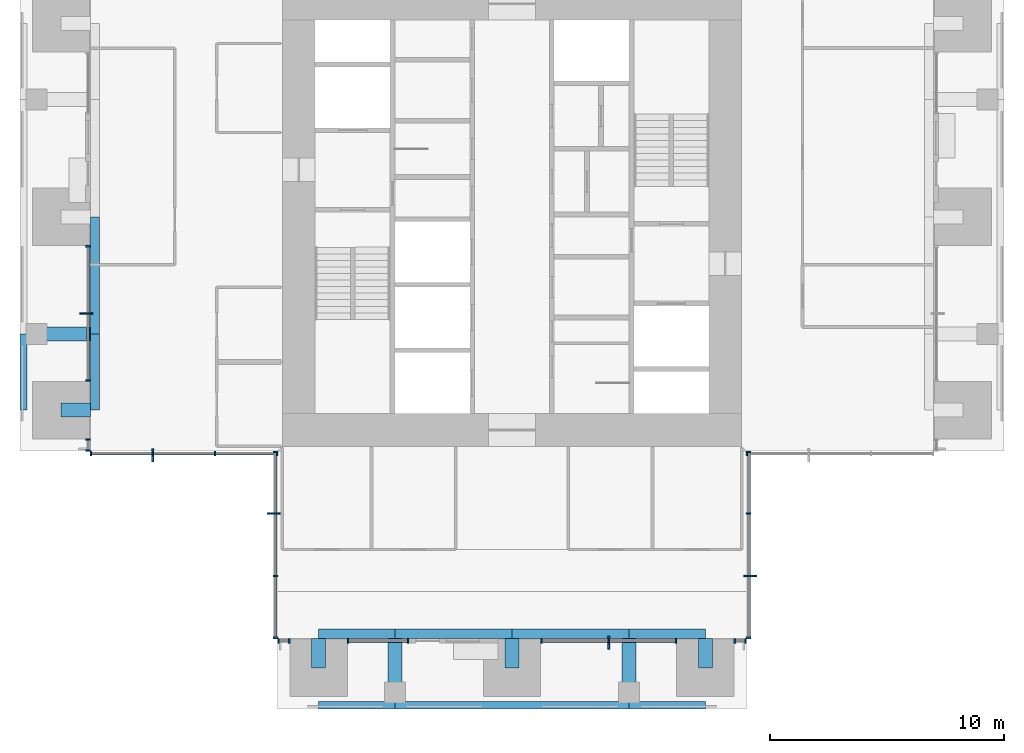
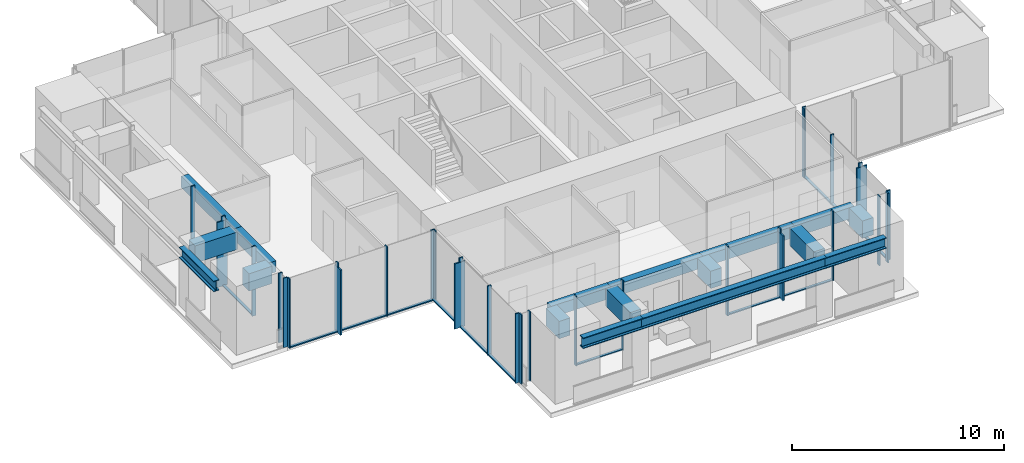
# One storey, part 2 of 17: 46 members, 17 beams, 10 elements without a shape of their own.
"""IFC4 building model written with IfcOpenShell, lengths in metres."""

import ifcopenshell
import ifcopenshell.guid

model = None  # the IFC model being written
_history = None  # IfcOwnerHistory: only IFC2X3 demands one
_inside = {}  # id of a spatial element -> (the spatial element, [elements in it])
_under = {}  # id of a project, library or spatial element -> (it, [spatial elements below it])
_declared = {}  # id of a project -> (the project, [libraries it declares])
_typed = {}  # id of a type object -> (the type object, [elements of that type])
_made_of = {}  # id of a material, layer set ... -> (it, [elements and type objects made of it])


def new_model(schema):
    """Start an empty IFC model of exactly this schema.

    Asked for "IFC4X3", IfcOpenShell would pick the latest addendum, in which some entities
    have other attributes; the version numbers below select the first issue.
    IFC2X3 requires an IfcOwnerHistory on every rooted entity: one is made here for all.
    """
    global model, _history
    if schema == "IFC4X3":
        model = ifcopenshell.file(schema_version=(4, 3, 0, 0))
    else:
        model = ifcopenshell.file(schema=schema)
    _inside.clear()
    _under.clear()
    _declared.clear()
    _typed.clear()
    _made_of.clear()
    _history = None
    if model.schema == "IFC2X3":
        org = make("IfcOrganization", Name="unknown")
        user = make(
            "IfcPersonAndOrganization",
            ThePerson=make("IfcPerson", FamilyName="unknown"),
            TheOrganization=org,
        )
        app = make(
            "IfcApplication",
            ApplicationDeveloper=org,
            Version="unknown",
            ApplicationFullName="unknown",
            ApplicationIdentifier="unknown",
        )
        _history = make(
            "IfcOwnerHistory",
            OwningUser=user,
            OwningApplication=app,
            ChangeAction="ADDED",
            CreationDate=0,
        )
    return model


def make(cls, **values):
    """One entity of the class cls with the attributes given. An attribute that is None is left unset."""
    return model.create_entity(
        cls, **{name: value for name, value in values.items() if value is not None}
    )


def rooted(cls, **values):
    """An entity with a GlobalId (a new one), such as an element, a storey or a relation."""
    return make(cls, GlobalId=ifcopenshell.guid.new(), OwnerHistory=_history, **values)


def si_unit(unit_type, name, prefix=None):
    """IfcSIUnit, for example si_unit("LENGTHUNIT", "METRE", prefix="MILLI")."""
    return make("IfcSIUnit", UnitType=unit_type, Prefix=prefix, Name=name)


def assignment(units):
    """IfcUnitAssignment: the units of a project."""
    return None if units is None else make("IfcUnitAssignment", Units=units)


def point(xyz):
    """IfcCartesianPoint."""
    return None if xyz is None else make("IfcCartesianPoint", Coordinates=xyz)


def direction(xyz):
    """IfcDirection."""
    return None if xyz is None else make("IfcDirection", DirectionRatios=xyz)


def frame(location, z_axis=None, x_axis=None):
    """IfcAxis2Placement3D, a coordinate frame: its origin and axes. An axis left out is left unset."""
    return make(
        "IfcAxis2Placement3D",
        Location=point(location),
        Axis=direction(z_axis),
        RefDirection=direction(x_axis),
    )


def frame_2d(location, x_axis=None):
    """IfcAxis2Placement2D, a coordinate frame in the plane: its origin and x axis."""
    return make(
        "IfcAxis2Placement2D", Location=point(location), RefDirection=direction(x_axis)
    )


def origin():
    """The frame at (0, 0, 0) with its axes left unset."""
    return frame((0.0, 0.0, 0.0))


def origin_2d():
    """The frame at (0, 0) in the plane with its x axis left unset."""
    return frame_2d((0.0, 0.0))


def place(relative_to, where):
    """IfcLocalPlacement: puts the frame where relative to a parent placement (None: the world)."""
    return make(
        "IfcLocalPlacement", PlacementRelTo=relative_to, RelativePlacement=where
    )


def context(
    kind, dimensions, precision=None, world=None, true_north=None, identifier=None
):
    """IfcGeometricRepresentationContext, for example the 3D "Model" context."""
    return make(
        "IfcGeometricRepresentationContext",
        ContextIdentifier=identifier,
        ContextType=kind,
        CoordinateSpaceDimension=dimensions,
        Precision=precision,
        WorldCoordinateSystem=world,
        TrueNorth=true_north,
    )


def subcontext(parent, identifier, kind, view, scale=None):
    """IfcGeometricRepresentationSubContext, for example "Body" below "Model"."""
    return make(
        "IfcGeometricRepresentationSubContext",
        ContextIdentifier=identifier,
        ContextType=kind,
        ParentContext=parent,
        TargetScale=scale,
        TargetView=view,
    )


def project(units=None, contexts=None):
    """IfcProject with its units and contexts."""
    return rooted(
        "IfcProject",
        Name="project",
        RepresentationContexts=contexts,
        UnitsInContext=assignment(units),
    )


def spatial(cls, under=None, at=None, **own):
    """A site, building, storey or space (cls), placed at a placement, below another one or the project."""
    s = rooted(cls, ObjectPlacement=at, **own)
    if under is not None:
        _under.setdefault(under.id(), (under, []))[1].append(s)
    return s


def profile(cls, at=None, kind="AREA", **sizes):
    """A parametric profile (cls). Its sizes go by their IFC names, for example OverallWidth=200.0."""
    return make(cls, ProfileType=kind, Position=at, **sizes)


def rectangle(**sizes):
    """IfcRectangleProfileDef."""
    return profile("IfcRectangleProfileDef", **sizes)


def i_section(**sizes):
    """IfcIShapeProfileDef."""
    return profile("IfcIShapeProfileDef", **sizes)


def extrude(swept, where, along, depth):
    """IfcExtrudedAreaSolid: the profile swept, set in the frame where, extruded along a direction by depth."""
    return make(
        "IfcExtrudedAreaSolid",
        SweptArea=swept,
        Position=where,
        ExtrudedDirection=direction(along),
        Depth=depth,
    )


def shape(context_of_items, identifier, shape_type, items):
    """IfcShapeRepresentation: the items that make up one representation, for example the "Body"."""
    return make(
        "IfcShapeRepresentation",
        ContextOfItems=context_of_items,
        RepresentationIdentifier=identifier,
        RepresentationType=shape_type,
        Items=items,
    )


def material(Name=None, Category=None):
    """IfcMaterial."""
    return make("IfcMaterial", Name=Name, Category=Category)


def material_profile(
    of_material, cross_section, Name=None, Category=None, Priority=None
):
    """IfcMaterialProfile: a cross section and its material."""
    return make(
        "IfcMaterialProfile",
        Name=Name,
        Material=of_material,
        Profile=cross_section,
        Priority=Priority,
        Category=Category,
    )


def profile_set(profiles, Name=None, composite=None):
    """IfcMaterialProfileSet."""
    return make(
        "IfcMaterialProfileSet",
        Name=Name,
        MaterialProfiles=profiles,
        CompositeProfile=composite,
    )


def made_of(thing, what):
    """Note that an element or type object is made of a material, layer set ...; save() writes the relation."""
    if what is not None:
        _made_of.setdefault(what.id(), (what, []))[1].append(thing)
    return thing


def type_object(cls, material=None, **own):
    """A type object (cls), such as IfcWallType, which elements share."""
    return made_of(rooted(cls, **own), material)


def element(
    cls,
    number,
    at=None,
    inside=None,
    cuts=None,
    type_object=None,
    material=None,
    context=None,
    identifier="Body",
    shape_type=None,
    held_by="IfcProductDefinitionShape",
    body=None,
    shapes=None,
    **own,
):
    """One element of the class cls, such as IfcWall. Its Tag is "e" and its number.

    at: its placement. inside: the storey or other place that contains it. cuts: it is an
    opening in that element (IfcRelVoidsElement). A single representation is given by context,
    identifier, shape_type and body (its items); several are given by shapes. held_by: the class
    of the entity that holds the representations. save() writes the other relations.
    """
    e = rooted(cls, Tag="e%d" % number, ObjectPlacement=at, **own)
    if body is not None:
        shapes = [shape(context, identifier, shape_type, body)]
    if shapes is not None:
        e.Representation = make(held_by, Representations=shapes)
    if inside is not None:
        _inside.setdefault(inside.id(), (inside, []))[1].append(e)
    if cuts is not None:
        rooted(
            "IfcRelVoidsElement", RelatingBuildingElement=cuts, RelatedOpeningElement=e
        )
    if type_object is not None:
        _typed.setdefault(type_object.id(), (type_object, []))[1].append(e)
    return made_of(e, material)


def aggregate(whole, parts):
    """IfcRelAggregates: a whole, such as a stair, and the parts it consists of."""
    return rooted("IfcRelAggregates", RelatingObject=whole, RelatedObjects=parts)


def save(model, path):
    """Write the relations noted so far, then the file.

    IfcRelAggregates (storeys below a building ...), IfcRelContainedInSpatialStructure (elements
    in a storey), IfcRelDefinesByType, IfcRelAssociatesMaterial and IfcRelDeclares: one each for
    every whole, place, type object, material and project.
    """
    for whole, parts in _under.values():
        aggregate(whole, parts)
    for where, things in _inside.values():
        rooted(
            "IfcRelContainedInSpatialStructure",
            RelatedElements=things,
            RelatingStructure=where,
        )
    for kind, things in _typed.values():
        rooted("IfcRelDefinesByType", RelatedObjects=things, RelatingType=kind)
    for what, things in _made_of.values():
        rooted("IfcRelAssociatesMaterial", RelatedObjects=things, RelatingMaterial=what)
    for by, libraries in _declared.values():
        rooted("IfcRelDeclares", RelatingContext=by, RelatedDefinitions=libraries)
    model.write(path)


model = new_model("IFC4")

# Units and contexts
model_context = context("Model", 3, precision=1e-05, world=origin(), true_north=direction((0.0, 1.0)))
body_context = subcontext(model_context, "Body", "Model", "MODEL_VIEW")
ifc_project = project(units=[si_unit("LENGTHUNIT", "METRE"), si_unit("AREAUNIT", "SQUARE_METRE"), si_unit("VOLUMEUNIT", "CUBIC_METRE"), si_unit("PLANEANGLEUNIT", "RADIAN"), si_unit("MASSUNIT", "GRAM", prefix="KILO")], contexts=[model_context])

# Site, building, storey
site_placement = place(None, origin())
site = spatial("IfcSite", under=ifc_project, at=site_placement, CompositionType="ELEMENT")
building_placement = place(site_placement, origin())
building = spatial("IfcBuilding", under=site, at=building_placement, Name="Svetlomir Tower", CompositionType="ELEMENT")
storey_placement = place(building_placement, frame((0.0, 0.0, 206.5)))
storey = spatial("IfcBuildingStorey", under=building, at=storey_placement, Name="L49", CompositionType="ELEMENT", Elevation=206.5)

# Curtain wall, member
ifc_material_1 = material(Name="Bronze anodised aluminium curtain wall", Category="aluminium")
curtain_wall_type = type_object("IfcCurtainWallType", Name="CURTAIN WALL CW1 TOWER OFFICE", PredefinedType="NOTDEFINED", material=ifc_material_1)
curtain_wall_1_placement = place(storey_placement, origin())
curtain_wall_1 = element("IfcCurtainWall", 1, at=curtain_wall_1_placement, inside=storey, type_object=curtain_wall_type, Name="Curtain wall CW1 L49", PredefinedType="NOTDEFINED")
ifc_material_2 = material(Name="Bronze anodised aluminium", Category="aluminium")
ifc_material_profile_1 = material_profile(ifc_material_2, rectangle(XDim=0.080078125, YDim=0.550048828125, at=origin_2d()), Name="FIN 80x550")
ifc_profile_set_1 = profile_set([ifc_material_profile_1], Name="Bronze anodised aluminium 6063-T6")
member_type_1 = type_object("IfcMemberType", Name="BRONZE FIN 80x550", PredefinedType="USERDEFINED", material=ifc_profile_set_1)
member_1_placement = place(storey_placement, frame((25.125, 2.824951171875, 0.0), z_axis=(0.0, 0.0, 1.0), x_axis=(1.0, 0.0, 0.0)))
member_1 = element("IfcMember", 2, at=member_1_placement, type_object=member_type_1, Name="Bronze fin L49", ObjectType="FIN", PredefinedType="USERDEFINED", context=body_context, shape_type="SweptSolid", body=[
    extrude(rectangle(XDim=0.080078125, YDim=0.550048828125, at=origin_2d()), origin(), (0.0, 0.0, 1.0), 3.75),
])

curtain_wall_2_placement = place(storey_placement, origin())
curtain_wall_2 = element("IfcCurtainWall", 3, at=curtain_wall_2_placement, inside=storey, type_object=curtain_wall_type, Name="Curtain wall CW1 L49", PredefinedType="NOTDEFINED")
member_2_placement = place(storey_placement, frame((31.175048828125, 5.666748046875, 0.0), z_axis=(0.0, 0.0, 1.0), x_axis=(0.0, 1.0, 0.0)))
member_2 = element("IfcMember", 4, at=member_2_placement, type_object=member_type_1, Name="Bronze fin L49", ObjectType="FIN", PredefinedType="USERDEFINED", context=body_context, shape_type="SweptSolid", body=[
    extrude(rectangle(XDim=0.080078125, YDim=0.550048828125, at=origin_2d()), origin(), (0.0, 0.0, 1.0), 3.75),
])

curtain_wall_3_placement = place(storey_placement, origin())
curtain_wall_3 = element("IfcCurtainWall", 5, at=curtain_wall_3_placement, inside=storey, type_object=curtain_wall_type, Name="Curtain wall CW1 L49", PredefinedType="NOTDEFINED")
member_3_placement = place(storey_placement, frame((2.824951171875, 16.875, 0.0), z_axis=(0.0, 0.0, 1.0), x_axis=(0.0, 1.0, 0.0)))
member_3 = element("IfcMember", 6, at=member_3_placement, type_object=member_type_1, Name="Bronze fin L49", ObjectType="FIN", PredefinedType="USERDEFINED", context=body_context, shape_type="SweptSolid", body=[
    extrude(rectangle(XDim=0.080078125, YDim=0.550048828125, at=origin_2d()), origin(), (0.0, 0.0, 1.0), 3.75),
])

curtain_wall_4_placement = place(storey_placement, origin())
curtain_wall_4 = element("IfcCurtainWall", 7, at=curtain_wall_4_placement, inside=storey, type_object=curtain_wall_type, Name="Curtain wall CW1 L49", PredefinedType="NOTDEFINED")
member_4_placement = place(storey_placement, frame((5.666748046875, 10.824951171875, 0.0), z_axis=(0.0, 0.0, 1.0), x_axis=(1.0, 0.0, 0.0)))
member_4 = element("IfcMember", 8, at=member_4_placement, type_object=member_type_1, Name="Bronze fin L49", ObjectType="FIN", PredefinedType="USERDEFINED", context=body_context, shape_type="SweptSolid", body=[
    extrude(rectangle(XDim=0.080078125, YDim=0.550048828125, at=origin_2d()), origin(), (0.0, 0.0, 1.0), 3.75),
])

curtain_wall_5_placement = place(storey_placement, origin())
curtain_wall_5 = element("IfcCurtainWall", 9, at=curtain_wall_5_placement, inside=storey, type_object=curtain_wall_type, Name="Curtain wall CW1 L49", PredefinedType="NOTDEFINED")
member_5_placement = place(storey_placement, frame((10.824951171875, 8.333251953125, 0.0), z_axis=(0.0, 0.0, 1.0), x_axis=(0.0, 1.0, 0.0)))
member_5 = element("IfcMember", 10, at=member_5_placement, type_object=member_type_1, Name="Bronze fin L49", ObjectType="FIN", PredefinedType="USERDEFINED", context=body_context, shape_type="SweptSolid", body=[
    extrude(rectangle(XDim=0.080078125, YDim=0.550048828125, at=origin_2d()), origin(), (0.0, 0.0, 1.0), 3.75),
])

# Curtain wall, members
curtain_wall_6_placement = place(storey_placement, origin())
curtain_wall_6 = element("IfcCurtainWall", 11, at=curtain_wall_6_placement, inside=storey, type_object=curtain_wall_type, Name="Curtain wall CW1 L49", PredefinedType="NOTDEFINED")
ifc_material_3 = material(Name="Bronze anodised aluminium", Category="aluminium")
ifc_material_profile_2 = material_profile(ifc_material_3, rectangle(XDim=0.06494140625, YDim=0.199951171875, at=origin_2d()), Name="AL 65x200")
ifc_profile_set_2 = profile_set([ifc_material_profile_2], Name="Bronze anodised aluminium 6063-T6")
member_type_2 = type_object("IfcMemberType", Name="CW1 MULLION 65x200", PredefinedType="MULLION", material=ifc_profile_set_2)
member_6_placement = place(storey_placement, frame((11.032470703125, 2.89990234375, 0.0), z_axis=(0.0, 0.0, 1.0), x_axis=(1.0, 0.0, 0.0)))
member_6 = element("IfcMember", 12, at=member_6_placement, type_object=member_type_2, Name="CW1 mullion 1", PredefinedType="MULLION", context=body_context, shape_type="SweptSolid", body=[
    extrude(rectangle(XDim=0.06494140625, YDim=0.199951171875, at=origin_2d()), origin(), (0.0, 0.0, 1.0), 4.0),
])
member_7_placement = place(storey_placement, frame((11.492431640625, 2.89990234375, 0.0), z_axis=(0.0, 0.0, 1.0), x_axis=(1.0, 0.0, 0.0)))
member_7 = element("IfcMember", 13, at=member_7_placement, type_object=member_type_2, Name="CW1 mullion 2", PredefinedType="MULLION", context=body_context, shape_type="SweptSolid", body=[
    extrude(rectangle(XDim=0.06494140625, YDim=0.199951171875, at=origin_2d()), origin(), (0.0, 0.0, 1.0), 4.0),
])
aggregate(curtain_wall_6, [member_6, member_7])

curtain_wall_7_placement = place(storey_placement, origin())
curtain_wall_7 = element("IfcCurtainWall", 14, at=curtain_wall_7_placement, inside=storey, type_object=curtain_wall_type, Name="Curtain wall CW1 L49", PredefinedType="NOTDEFINED")
member_8_placement = place(storey_placement, frame((14.007568359375, 2.89990234375, 0.0), z_axis=(0.0, 0.0, 1.0), x_axis=(1.0, 0.0, 0.0)))
member_8 = element("IfcMember", 15, at=member_8_placement, type_object=member_type_2, Name="CW1 mullion 1", PredefinedType="MULLION", context=body_context, shape_type="SweptSolid", body=[
    extrude(rectangle(XDim=0.06494140625, YDim=0.199951171875, at=origin_2d()), origin(), (0.0, 0.0, 1.0), 4.0),
])
member_9_placement = place(storey_placement, frame((16.5673828125, 2.89990234375, 0.0), z_axis=(0.0, 0.0, 1.0), x_axis=(1.0, 0.0, 0.0)))
member_9 = element("IfcMember", 16, at=member_9_placement, type_object=member_type_2, Name="CW1 mullion 2", PredefinedType="MULLION", context=body_context, shape_type="SweptSolid", body=[
    extrude(rectangle(XDim=0.06494140625, YDim=0.199951171875, at=origin_2d()), origin(), (0.0, 0.0, 1.0), 4.0),
])

# Member
member_10_placement = place(storey_placement, frame((22.257568359375, 2.89990234375, 0.0), z_axis=(0.0, 0.0, 1.0), x_axis=(1.0, 0.0, 0.0)))
member_10 = element("IfcMember", 17, at=member_10_placement, type_object=member_type_2, Name="CW1 mullion 1", PredefinedType="MULLION", context=body_context, shape_type="SweptSolid", body=[
    extrude(rectangle(XDim=0.06494140625, YDim=0.199951171875, at=origin_2d()), origin(), (0.0, 0.0, 1.0), 4.0),
])

member_11_placement = place(storey_placement, frame((25.125, 2.89990234375, 0.0), z_axis=(0.0, 0.0, 1.0), x_axis=(1.0, 0.0, 0.0)))
member_11 = element("IfcMember", 18, at=member_11_placement, type_object=member_type_2, Name="CW1 mullion 2", PredefinedType="MULLION", context=body_context, shape_type="SweptSolid", body=[
    extrude(rectangle(XDim=0.06494140625, YDim=0.199951171875, at=origin_2d()), origin(), (0.0, 0.0, 1.0), 4.0),
])

member_12_placement = place(storey_placement, frame((27.992431640625, 2.89990234375, 0.0), z_axis=(0.0, 0.0, 1.0), x_axis=(1.0, 0.0, 0.0)))
member_12 = element("IfcMember", 19, at=member_12_placement, type_object=member_type_2, Name="CW1 mullion 3", PredefinedType="MULLION", context=body_context, shape_type="SweptSolid", body=[
    extrude(rectangle(XDim=0.06494140625, YDim=0.199951171875, at=origin_2d()), origin(), (0.0, 0.0, 1.0), 4.0),
])

# Curtain wall, members
curtain_wall_8_placement = place(storey_placement, origin())
curtain_wall_8 = element("IfcCurtainWall", 20, at=curtain_wall_8_placement, inside=storey, type_object=curtain_wall_type, Name="Curtain wall CW1 L49", PredefinedType="NOTDEFINED")
member_13_placement = place(storey_placement, frame((30.507568359375, 2.89990234375, 0.0), z_axis=(0.0, 0.0, 1.0), x_axis=(1.0, 0.0, 0.0)))
member_13 = element("IfcMember", 21, at=member_13_placement, type_object=member_type_2, Name="CW1 mullion 1", PredefinedType="MULLION", context=body_context, shape_type="SweptSolid", body=[
    extrude(rectangle(XDim=0.06494140625, YDim=0.199951171875, at=origin_2d()), origin(), (0.0, 0.0, 1.0), 4.0),
])
member_14_placement = place(storey_placement, frame((30.967529296875, 2.89990234375, 0.0), z_axis=(0.0, 0.0, 1.0), x_axis=(1.0, 0.0, 0.0)))
member_14 = element("IfcMember", 22, at=member_14_placement, type_object=member_type_2, Name="CW1 mullion 2", PredefinedType="MULLION", context=body_context, shape_type="SweptSolid", body=[
    extrude(rectangle(XDim=0.06494140625, YDim=0.199951171875, at=origin_2d()), origin(), (0.0, 0.0, 1.0), 4.0),
])
aggregate(curtain_wall_8, [member_13, member_14])

# Member
member_15_placement = place(storey_placement, frame((31.10009765625, 3.032470703125, 0.0), z_axis=(0.0, 0.0, 1.0), x_axis=(0.0, 1.0, 0.0)))
member_15 = element("IfcMember", 23, at=member_15_placement, type_object=member_type_2, Name="CW1 mullion 1", PredefinedType="MULLION", context=body_context, shape_type="SweptSolid", body=[
    extrude(rectangle(XDim=0.06494140625, YDim=0.199951171875, at=origin_2d()), origin(), (0.0, 0.0, 1.0), 4.0),
])

member_16_placement = place(storey_placement, frame((31.10009765625, 5.666748046875, 0.0), z_axis=(0.0, 0.0, 1.0), x_axis=(0.0, 1.0, 0.0)))
member_16 = element("IfcMember", 24, at=member_16_placement, type_object=member_type_2, Name="CW1 mullion 2", PredefinedType="MULLION", context=body_context, shape_type="SweptSolid", body=[
    extrude(rectangle(XDim=0.06494140625, YDim=0.199951171875, at=origin_2d()), origin(), (0.0, 0.0, 1.0), 4.0),
])

member_17_placement = place(storey_placement, frame((31.10009765625, 8.333251953125, 0.0), z_axis=(0.0, 0.0, 1.0), x_axis=(0.0, 1.0, 0.0)))
member_17 = element("IfcMember", 25, at=member_17_placement, type_object=member_type_2, Name="CW1 mullion 3", PredefinedType="MULLION", context=body_context, shape_type="SweptSolid", body=[
    extrude(rectangle(XDim=0.06494140625, YDim=0.199951171875, at=origin_2d()), origin(), (0.0, 0.0, 1.0), 4.0),
])

member_18_placement = place(storey_placement, frame((31.10009765625, 10.967529296875, 0.0), z_axis=(0.0, 0.0, 1.0), x_axis=(0.0, 1.0, 0.0)))
member_18 = element("IfcMember", 26, at=member_18_placement, type_object=member_type_2, Name="CW1 mullion 4", PredefinedType="MULLION", context=body_context, shape_type="SweptSolid", body=[
    extrude(rectangle(XDim=0.06494140625, YDim=0.199951171875, at=origin_2d()), origin(), (0.0, 0.0, 1.0), 4.0),
])

# Curtain wall, member
curtain_wall_9_placement = place(storey_placement, origin())
curtain_wall_9 = element("IfcCurtainWall", 27, at=curtain_wall_9_placement, inside=storey, type_object=curtain_wall_type, Name="Curtain wall CW1 L49", PredefinedType="NOTDEFINED")
member_19_placement = place(storey_placement, frame((31.032470703125, 10.89990234375, 0.0), z_axis=(0.0, 0.0, 1.0), x_axis=(1.0, 0.0, 0.0)))
member_19 = element("IfcMember", 28, at=member_19_placement, type_object=member_type_2, Name="CW1 mullion 1", PredefinedType="MULLION", context=body_context, shape_type="SweptSolid", body=[
    extrude(rectangle(XDim=0.06494140625, YDim=0.199951171875, at=origin_2d()), origin(), (0.0, 0.0, 1.0), 4.0),
])
aggregate(curtain_wall_9, [member_19])

# Member
member_20_placement = place(storey_placement, frame((2.89990234375, 19.742431640625, 0.0), z_axis=(0.0, 0.0, 1.0), x_axis=(0.0, -1.0, 0.0)))
member_20 = element("IfcMember", 29, at=member_20_placement, type_object=member_type_2, Name="CW1 mullion 1", PredefinedType="MULLION", context=body_context, shape_type="SweptSolid", body=[
    extrude(rectangle(XDim=0.06494140625, YDim=0.199951171875, at=origin_2d()), origin(), (0.0, 0.0, 1.0), 4.0),
])

member_21_placement = place(storey_placement, frame((2.89990234375, 16.875, 0.0), z_axis=(0.0, 0.0, 1.0), x_axis=(0.0, -1.0, 0.0)))
member_21 = element("IfcMember", 30, at=member_21_placement, type_object=member_type_2, Name="CW1 mullion 2", PredefinedType="MULLION", context=body_context, shape_type="SweptSolid", body=[
    extrude(rectangle(XDim=0.06494140625, YDim=0.199951171875, at=origin_2d()), origin(), (0.0, 0.0, 1.0), 4.0),
])

member_22_placement = place(storey_placement, frame((2.89990234375, 14.007568359375, 0.0), z_axis=(0.0, 0.0, 1.0), x_axis=(0.0, -1.0, 0.0)))
member_22 = element("IfcMember", 31, at=member_22_placement, type_object=member_type_2, Name="CW1 mullion 3", PredefinedType="MULLION", context=body_context, shape_type="SweptSolid", body=[
    extrude(rectangle(XDim=0.06494140625, YDim=0.199951171875, at=origin_2d()), origin(), (0.0, 0.0, 1.0), 4.0),
])

# Curtain wall, members
curtain_wall_10_placement = place(storey_placement, origin())
curtain_wall_10 = element("IfcCurtainWall", 32, at=curtain_wall_10_placement, inside=storey, type_object=curtain_wall_type, Name="Curtain wall CW1 L49", PredefinedType="NOTDEFINED")
member_23_placement = place(storey_placement, frame((2.89990234375, 11.492431640625, 0.0), z_axis=(0.0, 0.0, 1.0), x_axis=(0.0, -1.0, 0.0)))
member_23 = element("IfcMember", 33, at=member_23_placement, type_object=member_type_2, Name="CW1 mullion 1", PredefinedType="MULLION", context=body_context, shape_type="SweptSolid", body=[
    extrude(rectangle(XDim=0.06494140625, YDim=0.199951171875, at=origin_2d()), origin(), (0.0, 0.0, 1.0), 4.0),
])
member_24_placement = place(storey_placement, frame((2.89990234375, 11.032470703125, 0.0), z_axis=(0.0, 0.0, 1.0), x_axis=(0.0, -1.0, 0.0)))
member_24 = element("IfcMember", 34, at=member_24_placement, type_object=member_type_2, Name="CW1 mullion 2", PredefinedType="MULLION", context=body_context, shape_type="SweptSolid", body=[
    extrude(rectangle(XDim=0.06494140625, YDim=0.199951171875, at=origin_2d()), origin(), (0.0, 0.0, 1.0), 4.0),
])
aggregate(curtain_wall_10, [member_23, member_24])

# Member
member_25_placement = place(storey_placement, frame((3.032470703125, 10.89990234375, 0.0), z_axis=(0.0, 0.0, 1.0), x_axis=(1.0, 0.0, 0.0)))
member_25 = element("IfcMember", 35, at=member_25_placement, type_object=member_type_2, Name="CW1 mullion 1", PredefinedType="MULLION", context=body_context, shape_type="SweptSolid", body=[
    extrude(rectangle(XDim=0.06494140625, YDim=0.199951171875, at=origin_2d()), origin(), (0.0, 0.0, 1.0), 4.0),
])

member_26_placement = place(storey_placement, frame((5.666748046875, 10.89990234375, 0.0), z_axis=(0.0, 0.0, 1.0), x_axis=(1.0, 0.0, 0.0)))
member_26 = element("IfcMember", 36, at=member_26_placement, type_object=member_type_2, Name="CW1 mullion 2", PredefinedType="MULLION", context=body_context, shape_type="SweptSolid", body=[
    extrude(rectangle(XDim=0.06494140625, YDim=0.199951171875, at=origin_2d()), origin(), (0.0, 0.0, 1.0), 4.0),
])

member_27_placement = place(storey_placement, frame((8.333251953125, 10.89990234375, 0.0), z_axis=(0.0, 0.0, 1.0), x_axis=(1.0, 0.0, 0.0)))
member_27 = element("IfcMember", 37, at=member_27_placement, type_object=member_type_2, Name="CW1 mullion 3", PredefinedType="MULLION", context=body_context, shape_type="SweptSolid", body=[
    extrude(rectangle(XDim=0.06494140625, YDim=0.199951171875, at=origin_2d()), origin(), (0.0, 0.0, 1.0), 4.0),
])

member_28_placement = place(storey_placement, frame((10.967529296875, 10.89990234375, 0.0), z_axis=(0.0, 0.0, 1.0), x_axis=(1.0, 0.0, 0.0)))
member_28 = element("IfcMember", 38, at=member_28_placement, type_object=member_type_2, Name="CW1 mullion 4", PredefinedType="MULLION", context=body_context, shape_type="SweptSolid", body=[
    extrude(rectangle(XDim=0.06494140625, YDim=0.199951171875, at=origin_2d()), origin(), (0.0, 0.0, 1.0), 4.0),
])

member_29_placement = place(storey_placement, frame((10.89990234375, 10.967529296875, 0.0), z_axis=(0.0, 0.0, 1.0), x_axis=(0.0, -1.0, 0.0)))
member_29 = element("IfcMember", 39, at=member_29_placement, type_object=member_type_2, Name="CW1 mullion 1", PredefinedType="MULLION", context=body_context, shape_type="SweptSolid", body=[
    extrude(rectangle(XDim=0.06494140625, YDim=0.199951171875, at=origin_2d()), origin(), (0.0, 0.0, 1.0), 4.0),
])

member_30_placement = place(storey_placement, frame((10.89990234375, 8.333251953125, 0.0), z_axis=(0.0, 0.0, 1.0), x_axis=(0.0, -1.0, 0.0)))
member_30 = element("IfcMember", 40, at=member_30_placement, type_object=member_type_2, Name="CW1 mullion 2", PredefinedType="MULLION", context=body_context, shape_type="SweptSolid", body=[
    extrude(rectangle(XDim=0.06494140625, YDim=0.199951171875, at=origin_2d()), origin(), (0.0, 0.0, 1.0), 4.0),
])

member_31_placement = place(storey_placement, frame((10.89990234375, 5.666748046875, 0.0), z_axis=(0.0, 0.0, 1.0), x_axis=(0.0, -1.0, 0.0)))
member_31 = element("IfcMember", 41, at=member_31_placement, type_object=member_type_2, Name="CW1 mullion 3", PredefinedType="MULLION", context=body_context, shape_type="SweptSolid", body=[
    extrude(rectangle(XDim=0.06494140625, YDim=0.199951171875, at=origin_2d()), origin(), (0.0, 0.0, 1.0), 4.0),
])

member_32_placement = place(storey_placement, frame((10.89990234375, 3.032470703125, 0.0), z_axis=(0.0, 0.0, 1.0), x_axis=(0.0, -1.0, 0.0)))
member_32 = element("IfcMember", 42, at=member_32_placement, type_object=member_type_2, Name="CW1 mullion 4", PredefinedType="MULLION", context=body_context, shape_type="SweptSolid", body=[
    extrude(rectangle(XDim=0.06494140625, YDim=0.199951171875, at=origin_2d()), origin(), (0.0, 0.0, 1.0), 4.0),
])

ifc_material_4 = material(Name="Bronze anodised aluminium", Category="aluminium")
ifc_material_profile_3 = material_profile(ifc_material_4, rectangle(XDim=0.139892578125, YDim=0.06494140625, at=origin_2d()), Name="AL 140x65")
ifc_profile_set_3 = profile_set([ifc_material_profile_3], Name="Bronze anodised aluminium 6063-T6")
member_type_3 = type_object("IfcMemberType", Name="CW1 TRANSOM 65x140", PredefinedType="USERDEFINED", material=ifc_profile_set_3)
member_33_placement = place(storey_placement, frame((14.0400390625, 2.89990234375, 0.032470703125), z_axis=(1.0, 0.0, 0.0), x_axis=(0.0, 1.0, 0.0)))
member_33 = element("IfcMember", 43, at=member_33_placement, type_object=member_type_3, Name="CW1 transom 1.1", ObjectType="TRANSOM", PredefinedType="USERDEFINED", context=body_context, shape_type="SweptSolid", body=[
    extrude(rectangle(XDim=0.139892578125, YDim=0.06494140625, at=origin_2d()), origin(), (0.0, 0.0, 1.0), 2.494873046875),
])

aggregate(curtain_wall_7, [member_8, member_9, member_33])

member_34_placement = place(storey_placement, frame((22.2900390625, 2.89990234375, 0.032470703125), z_axis=(1.0, 0.0, 0.0), x_axis=(0.0, 1.0, 0.0)))
member_34 = element("IfcMember", 44, at=member_34_placement, type_object=member_type_3, Name="CW1 transom 1.1", ObjectType="TRANSOM", PredefinedType="USERDEFINED", context=body_context, shape_type="SweptSolid", body=[
    extrude(rectangle(XDim=0.139892578125, YDim=0.06494140625, at=origin_2d()), origin(), (0.0, 0.0, 1.0), 2.802490234375),
])

member_35_placement = place(storey_placement, frame((25.157470703125, 2.89990234375, 0.032470703125), z_axis=(1.0, 0.0, 0.0), x_axis=(0.0, 1.0, 0.0)))
member_35 = element("IfcMember", 45, at=member_35_placement, type_object=member_type_3, Name="CW1 transom 2.1", ObjectType="TRANSOM", PredefinedType="USERDEFINED", context=body_context, shape_type="SweptSolid", body=[
    extrude(rectangle(XDim=0.139892578125, YDim=0.06494140625, at=origin_2d()), origin(), (0.0, 0.0, 1.0), 2.802490234375),
])

aggregate(curtain_wall_1, [member_10, member_11, member_12, member_34, member_35, member_1])

member_36_placement = place(storey_placement, frame((31.10009765625, 3.06494140625, 0.032470703125), z_axis=(0.0, 1.0, 0.0), x_axis=(-1.0, 0.0, 0.0)))
member_36 = element("IfcMember", 46, at=member_36_placement, type_object=member_type_3, Name="CW1 transom 1.1", ObjectType="TRANSOM", PredefinedType="USERDEFINED", context=body_context, shape_type="SweptSolid", body=[
    extrude(rectangle(XDim=0.139892578125, YDim=0.06494140625, at=origin_2d()), origin(), (0.0, 0.0, 1.0), 2.5693359375),
])

member_37_placement = place(storey_placement, frame((31.10009765625, 5.69921875, 0.032470703125), z_axis=(0.0, 1.0, 0.0), x_axis=(-1.0, 0.0, 0.0)))
member_37 = element("IfcMember", 47, at=member_37_placement, type_object=member_type_3, Name="CW1 transom 2.1", ObjectType="TRANSOM", PredefinedType="USERDEFINED", context=body_context, shape_type="SweptSolid", body=[
    extrude(rectangle(XDim=0.139892578125, YDim=0.06494140625, at=origin_2d()), origin(), (0.0, 0.0, 1.0), 2.6015625),
])

member_38_placement = place(storey_placement, frame((31.10009765625, 8.36572265625, 0.032470703125), z_axis=(0.0, 1.0, 0.0), x_axis=(-1.0, 0.0, 0.0)))
member_38 = element("IfcMember", 48, at=member_38_placement, type_object=member_type_3, Name="CW1 transom 3.1", ObjectType="TRANSOM", PredefinedType="USERDEFINED", context=body_context, shape_type="SweptSolid", body=[
    extrude(rectangle(XDim=0.139892578125, YDim=0.06494140625, at=origin_2d()), origin(), (0.0, 0.0, 1.0), 2.5693359375),
])

aggregate(curtain_wall_2, [member_15, member_16, member_17, member_18, member_36, member_37, member_38, member_2])

member_39_placement = place(storey_placement, frame((2.89990234375, 19.7099609375, 0.032470703125), z_axis=(0.0, -1.0, 0.0), x_axis=(1.0, 0.0, 0.0)))
member_39 = element("IfcMember", 49, at=member_39_placement, type_object=member_type_3, Name="CW1 transom 1.1", ObjectType="TRANSOM", PredefinedType="USERDEFINED", context=body_context, shape_type="SweptSolid", body=[
    extrude(rectangle(XDim=0.139892578125, YDim=0.06494140625, at=origin_2d()), origin(), (0.0, 0.0, 1.0), 2.802490234375),
])

member_40_placement = place(storey_placement, frame((2.89990234375, 16.842529296875, 0.032470703125), z_axis=(0.0, -1.0, 0.0), x_axis=(1.0, 0.0, 0.0)))
member_40 = element("IfcMember", 50, at=member_40_placement, type_object=member_type_3, Name="CW1 transom 2.1", ObjectType="TRANSOM", PredefinedType="USERDEFINED", context=body_context, shape_type="SweptSolid", body=[
    extrude(rectangle(XDim=0.139892578125, YDim=0.06494140625, at=origin_2d()), origin(), (0.0, 0.0, 1.0), 2.802490234375),
])

aggregate(curtain_wall_3, [member_20, member_21, member_22, member_39, member_40, member_3])

member_41_placement = place(storey_placement, frame((3.06494140625, 10.89990234375, 0.032470703125), z_axis=(1.0, 0.0, 0.0), x_axis=(0.0, 1.0, 0.0)))
member_41 = element("IfcMember", 51, at=member_41_placement, type_object=member_type_3, Name="CW1 transom 1.1", ObjectType="TRANSOM", PredefinedType="USERDEFINED", context=body_context, shape_type="SweptSolid", body=[
    extrude(rectangle(XDim=0.139892578125, YDim=0.06494140625, at=origin_2d()), origin(), (0.0, 0.0, 1.0), 2.5693359375),
])

member_42_placement = place(storey_placement, frame((5.69921875, 10.89990234375, 0.032470703125), z_axis=(1.0, 0.0, 0.0), x_axis=(0.0, 1.0, 0.0)))
member_42 = element("IfcMember", 52, at=member_42_placement, type_object=member_type_3, Name="CW1 transom 2.1", ObjectType="TRANSOM", PredefinedType="USERDEFINED", context=body_context, shape_type="SweptSolid", body=[
    extrude(rectangle(XDim=0.139892578125, YDim=0.06494140625, at=origin_2d()), origin(), (0.0, 0.0, 1.0), 2.6015625),
])

member_43_placement = place(storey_placement, frame((8.36572265625, 10.89990234375, 0.032470703125), z_axis=(1.0, 0.0, 0.0), x_axis=(0.0, 1.0, 0.0)))
member_43 = element("IfcMember", 53, at=member_43_placement, type_object=member_type_3, Name="CW1 transom 3.1", ObjectType="TRANSOM", PredefinedType="USERDEFINED", context=body_context, shape_type="SweptSolid", body=[
    extrude(rectangle(XDim=0.139892578125, YDim=0.06494140625, at=origin_2d()), origin(), (0.0, 0.0, 1.0), 2.5693359375),
])

aggregate(curtain_wall_4, [member_25, member_26, member_27, member_28, member_41, member_42, member_43, member_4])

member_44_placement = place(storey_placement, frame((10.89990234375, 10.93505859375, 0.032470703125), z_axis=(0.0, -1.0, 0.0), x_axis=(1.0, 0.0, 0.0)))
member_44 = element("IfcMember", 54, at=member_44_placement, type_object=member_type_3, Name="CW1 transom 1.1", ObjectType="TRANSOM", PredefinedType="USERDEFINED", context=body_context, shape_type="SweptSolid", body=[
    extrude(rectangle(XDim=0.139892578125, YDim=0.06494140625, at=origin_2d()), origin(), (0.0, 0.0, 1.0), 2.5693359375),
])

member_45_placement = place(storey_placement, frame((10.89990234375, 8.30078125, 0.032470703125), z_axis=(0.0, -1.0, 0.0), x_axis=(1.0, 0.0, 0.0)))
member_45 = element("IfcMember", 55, at=member_45_placement, type_object=member_type_3, Name="CW1 transom 2.1", ObjectType="TRANSOM", PredefinedType="USERDEFINED", context=body_context, shape_type="SweptSolid", body=[
    extrude(rectangle(XDim=0.139892578125, YDim=0.06494140625, at=origin_2d()), origin(), (0.0, 0.0, 1.0), 2.6015625),
])

member_46_placement = place(storey_placement, frame((10.89990234375, 5.63427734375, 0.032470703125), z_axis=(0.0, -1.0, 0.0), x_axis=(1.0, 0.0, 0.0)))
member_46 = element("IfcMember", 56, at=member_46_placement, type_object=member_type_3, Name="CW1 transom 3.1", ObjectType="TRANSOM", PredefinedType="USERDEFINED", context=body_context, shape_type="SweptSolid", body=[
    extrude(rectangle(XDim=0.139892578125, YDim=0.06494140625, at=origin_2d()), origin(), (0.0, 0.0, 1.0), 2.5693359375),
])

aggregate(curtain_wall_5, [member_29, member_30, member_31, member_32, member_44, member_45, member_46, member_5])

# Beams
ifc_material_5 = material(Name="Steel S355", Category="steel")
ifc_material_profile_4 = material_profile(ifc_material_5, i_section(OverallWidth=0.304931640625, OverallDepth=0.6201171875, WebThickness=0.02099609375, FlangeThickness=0.0400390625, FilletRadius=0.027099609375, at=origin_2d()), Name="HEM 600")
ifc_profile_set_4 = profile_set([ifc_material_profile_4], Name="Steel S355")
beam_type_1 = type_object("IfcBeamType", Name="EDGE BEAM HEM 600", PredefinedType="SPANDREL", material=ifc_profile_set_4)
for number, where, z_axis, x_axis, name in (
    (57, (12.75, 0.152587890625, 3.43994140625), (1.0, 0.0, 0.0), (0.0, 1.0, 0.0), "Edge beam 11/0 to 16/0 under L50"),
    (58, (0.152587890625, 12.75, 3.43994140625), (0.0, 1.0, 0.0), (-1.0, 0.0, 0.0), "Edge beam 0/11 to 0/16 under L50"),
):
    element("IfcBeam", number, at=place(storey_placement, frame(where, z_axis=z_axis, x_axis=x_axis)), inside=storey, type_object=beam_type_1, Name=name, PredefinedType="SPANDREL", context=body_context, shape_type="SweptSolid", body=[
        extrude(i_section(OverallWidth=0.304931640625, OverallDepth=0.6201171875, WebThickness=0.02099609375, FlangeThickness=0.0400390625, FilletRadius=0.027099609375, at=origin_2d()), origin(), (0.0, 0.0, 1.0), 3.25),
    ])
beam_1_placement = place(storey_placement, frame((16.0, 0.152587890625, 3.43994140625), z_axis=(1.0, 0.0, 0.0), x_axis=(0.0, 1.0, 0.0)))
element("IfcBeam", 59, at=beam_1_placement, inside=storey, type_object=beam_type_1, Name="Edge beam 16/0 to 26/0 under L50", PredefinedType="SPANDREL", context=body_context, shape_type="SweptSolid", body=[
    extrude(i_section(OverallWidth=0.304931640625, OverallDepth=0.6201171875, WebThickness=0.02099609375, FlangeThickness=0.0400390625, FilletRadius=0.027099609375, at=origin_2d()), origin(), (0.0, 0.0, 1.0), 10.0),
])
beam_2_placement = place(storey_placement, frame((26.0, 0.152587890625, 3.43994140625), z_axis=(1.0, 0.0, 0.0), x_axis=(0.0, 1.0, 0.0)))
element("IfcBeam", 60, at=beam_2_placement, inside=storey, type_object=beam_type_1, Name="Edge beam 26/0 to 31/0 under L50", PredefinedType="SPANDREL", context=body_context, shape_type="SweptSolid", body=[
    extrude(i_section(OverallWidth=0.304931640625, OverallDepth=0.6201171875, WebThickness=0.02099609375, FlangeThickness=0.0400390625, FilletRadius=0.027099609375, at=origin_2d()), origin(), (0.0, 0.0, 1.0), 3.25),
])
ifc_material_6 = material(Name="Concrete C60/75", Category="concrete")
ifc_material_profile_5 = material_profile(ifc_material_6, rectangle(XDim=0.39990234375, YDim=0.64990234375, at=origin_2d()), Name="RC 400x650")
ifc_profile_set_5 = profile_set([ifc_material_profile_5], Name="Concrete C60/75")
beam_type_2 = type_object("IfcBeamType", Name="FACADE EDGE BEAM RC 400x650", PredefinedType="BEAM", material=ifc_profile_set_5)
beam_3_placement = place(storey_placement, frame((12.75, 3.199951171875, 3.425048828125), z_axis=(1.0, 0.0, 0.0), x_axis=(0.0, 1.0, 0.0)))
element("IfcBeam", 61, at=beam_3_placement, inside=storey, type_object=beam_type_2, Name="Facade edge beam S 11 to 16 under L50", PredefinedType="BEAM", context=body_context, shape_type="SweptSolid", body=[
    extrude(rectangle(XDim=0.39990234375, YDim=0.64990234375, at=origin_2d()), origin(), (0.0, 0.0, 1.0), 3.25),
])
for number, where, z_axis, x_axis, name in (
    (62, (16.0, 3.199951171875, 3.425048828125), (1.0, 0.0, 0.0), (0.0, 1.0, 0.0), "Facade edge beam S 16 to 21 under L50"),
    (63, (21.0, 3.199951171875, 3.425048828125), (1.0, 0.0, 0.0), (0.0, 1.0, 0.0), "Facade edge beam S 21 to 26 under L50"),
):
    element("IfcBeam", number, at=place(storey_placement, frame(where, z_axis=z_axis, x_axis=x_axis)), inside=storey, type_object=beam_type_2, Name=name, PredefinedType="BEAM", context=body_context, shape_type="SweptSolid", body=[
        extrude(rectangle(XDim=0.39990234375, YDim=0.64990234375, at=origin_2d()), origin(), (0.0, 0.0, 1.0), 5.0),
    ])
for number, where, z_axis, x_axis, name in (
    (64, (26.0, 3.199951171875, 3.425048828125), (1.0, 0.0, 0.0), (0.0, 1.0, 0.0), "Facade edge beam S 26 to 31 under L50"),
    (65, (3.199951171875, 12.75, 3.425048828125), (0.0, 1.0, 0.0), (-1.0, 0.0, 0.0), "Facade edge beam W 11 to 16 under L50"),
):
    element("IfcBeam", number, at=place(storey_placement, frame(where, z_axis=z_axis, x_axis=x_axis)), inside=storey, type_object=beam_type_2, Name=name, PredefinedType="BEAM", context=body_context, shape_type="SweptSolid", body=[
        extrude(rectangle(XDim=0.39990234375, YDim=0.64990234375, at=origin_2d()), origin(), (0.0, 0.0, 1.0), 3.25),
    ])
beam_4_placement = place(storey_placement, frame((3.199951171875, 16.0, 3.425048828125), z_axis=(0.0, 1.0, 0.0), x_axis=(-1.0, 0.0, 0.0)))
element("IfcBeam", 66, at=beam_4_placement, inside=storey, type_object=beam_type_2, Name="Facade edge beam W 16 to 21 under L50", PredefinedType="BEAM", context=body_context, shape_type="SweptSolid", body=[
    extrude(rectangle(XDim=0.39990234375, YDim=0.64990234375, at=origin_2d()), origin(), (0.0, 0.0, 1.0), 5.0),
])
ifc_material_7 = material(Name="Concrete C60/75", Category="concrete")
ifc_material_profile_6 = material_profile(ifc_material_7, rectangle(XDim=0.60009765625, YDim=1.0, at=origin_2d()), Name="RC 600x1000")
ifc_profile_set_6 = profile_set([ifc_material_profile_6], Name="Concrete C60/75")
beam_type_3 = type_object("IfcBeamType", Name="LOGGIA LINK BEAM RC 600x1000", PredefinedType="BEAM", material=ifc_profile_set_6)
beam_5_placement = place(storey_placement, frame((12.75, 1.75, 3.25), z_axis=(0.0, 1.0, 0.0), x_axis=(-1.0, 0.0, 0.0)))
element("IfcBeam", 67, at=beam_5_placement, inside=storey, type_object=beam_type_3, Name="Loggia link beam S 11 under L50", PredefinedType="BEAM", context=body_context, shape_type="SweptSolid", body=[
    extrude(rectangle(XDim=0.60009765625, YDim=1.0, at=origin_2d()), origin(), (0.0, 0.0, 1.0), 1.25),
])
beam_6_placement = place(storey_placement, frame((16.0, 0.699951171875, 3.25), z_axis=(0.0, 1.0, 0.0), x_axis=(-1.0, 0.0, 0.0)))
element("IfcBeam", 68, at=beam_6_placement, inside=storey, type_object=beam_type_3, Name="Loggia link beam S 16 under L50", PredefinedType="BEAM", context=body_context, shape_type="SweptSolid", body=[
    extrude(rectangle(XDim=0.60009765625, YDim=1.0, at=origin_2d()), origin(), (0.0, 0.0, 1.0), 2.300048828125),
])
beam_7_placement = place(storey_placement, frame((21.0, 1.75, 3.25), z_axis=(0.0, 1.0, 0.0), x_axis=(-1.0, 0.0, 0.0)))
element("IfcBeam", 69, at=beam_7_placement, inside=storey, type_object=beam_type_3, Name="Loggia link beam S 21 under L50", PredefinedType="BEAM", context=body_context, shape_type="SweptSolid", body=[
    extrude(rectangle(XDim=0.60009765625, YDim=1.0, at=origin_2d()), origin(), (0.0, 0.0, 1.0), 1.25),
])
beam_8_placement = place(storey_placement, frame((26.0, 0.699951171875, 3.25), z_axis=(0.0, 1.0, 0.0), x_axis=(-1.0, 0.0, 0.0)))
element("IfcBeam", 70, at=beam_8_placement, inside=storey, type_object=beam_type_3, Name="Loggia link beam S 26 under L50", PredefinedType="BEAM", context=body_context, shape_type="SweptSolid", body=[
    extrude(rectangle(XDim=0.60009765625, YDim=1.0, at=origin_2d()), origin(), (0.0, 0.0, 1.0), 2.300048828125),
])
for number, where, z_axis, x_axis, name in (
    (71, (29.25, 1.75, 3.25), (0.0, 1.0, 0.0), (-1.0, 0.0, 0.0), "Loggia link beam S 31 under L50"),
    (72, (1.75, 12.75, 3.25), (1.0, 0.0, 0.0), (0.0, 1.0, 0.0), "Loggia link beam W 11 under L50"),
):
    element("IfcBeam", number, at=place(storey_placement, frame(where, z_axis=z_axis, x_axis=x_axis)), inside=storey, type_object=beam_type_3, Name=name, PredefinedType="BEAM", context=body_context, shape_type="SweptSolid", body=[
        extrude(rectangle(XDim=0.60009765625, YDim=1.0, at=origin_2d()), origin(), (0.0, 0.0, 1.0), 1.25),
    ])
beam_9_placement = place(storey_placement, frame((0.699951171875, 16.0, 3.25), z_axis=(1.0, 0.0, 0.0), x_axis=(0.0, 1.0, 0.0)))
element("IfcBeam", 73, at=beam_9_placement, inside=storey, type_object=beam_type_3, Name="Loggia link beam W 16 under L50", PredefinedType="BEAM", context=body_context, shape_type="SweptSolid", body=[
    extrude(rectangle(XDim=0.60009765625, YDim=1.0, at=origin_2d()), origin(), (0.0, 0.0, 1.0), 2.300048828125),
])

save(model, "model.ifc")
